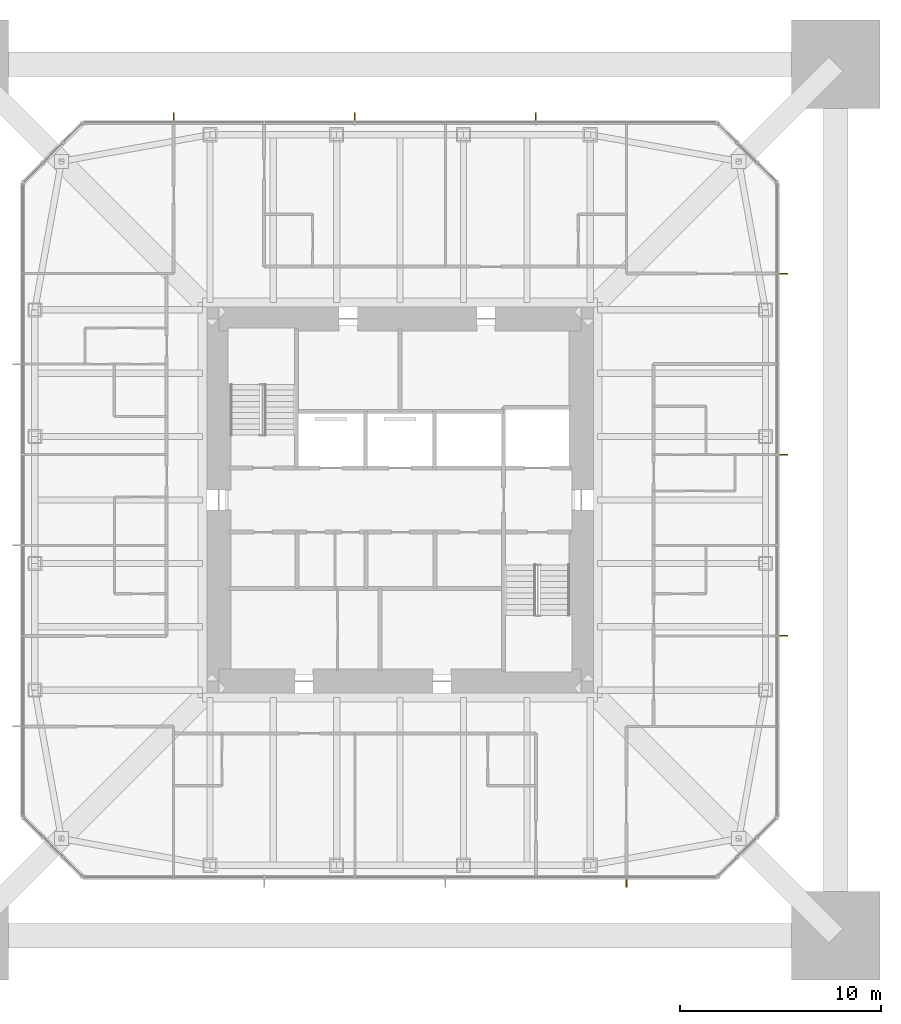
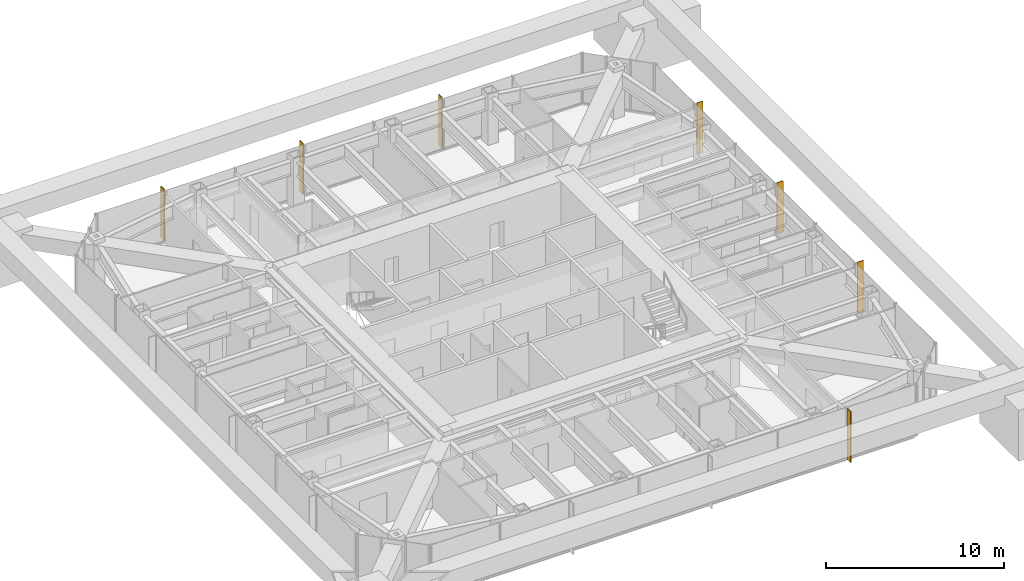
# One storey, part 15 of 15: 7 shading devices.
"""IFC4 building model written with IfcOpenShell, lengths in metres."""

from ifc_helpers import new_model, si_unit, direction, frame, origin, origin_2d, place, context, subcontext, project, spatial, rectangle, extrude, material, layer, layer_set, type_object, element, save


model = new_model("IFC4")

# Units and contexts
model_context = context("Model", 3, precision=1e-05, world=origin(), true_north=direction((0.0, 1.0)))
body_context = subcontext(model_context, "Body", "Model", "MODEL_VIEW")
ifc_project = project(units=[si_unit("LENGTHUNIT", "METRE"), si_unit("AREAUNIT", "SQUARE_METRE"), si_unit("VOLUMEUNIT", "CUBIC_METRE"), si_unit("PLANEANGLEUNIT", "RADIAN"), si_unit("MASSUNIT", "GRAM", prefix="KILO")], contexts=[model_context])

# Site, building, storey
site_placement = place(None, origin())
site = spatial("IfcSite", under=ifc_project, at=site_placement, CompositionType="ELEMENT")
building_placement = place(site_placement, origin())
building = spatial("IfcBuilding", under=site, at=building_placement, Name="Iwan Alto Co-Living Towers", CompositionType="ELEMENT")
storey_placement = place(building_placement, frame((0.0, 0.0, 205.5)))
storey = spatial("IfcBuildingStorey", under=building, at=storey_placement, Name="L56", CompositionType="ELEMENT", Elevation=205.5)

# Shading devices
ifc_material = material(Name="Aluminium 6063-T6 bronze anodised", Category="aluminium")
ifc_layer = layer(ifc_material, 0.050048828125)
ifc_layer_set = layer_set([ifc_layer], Name="BRONZE FIN 50X400")
shading_device_type = type_object("IfcShadingDeviceType", Name="BRONZE FIN 50X400", PredefinedType="USERDEFINED", material=ifc_layer_set)
for number, where, z_axis, x_axis, name in (
    (1, (11.25, -19.050048828125, 0.0), (0.0, 0.0, 1.0), (1.0, 0.0, 0.0), "Bronze fin L56"),
    (2, (19.050048828125, -6.75, 0.0), (0.0, 0.0, 1.0), (0.0, 1.0, 0.0), "Bronze fin L56"),
    (3, (19.050048828125, 2.25, 0.0), (0.0, 0.0, 1.0), (0.0, 1.0, 0.0), "Bronze fin L56"),
    (4, (19.050048828125, 11.25, 0.0), (0.0, 0.0, 1.0), (0.0, 1.0, 0.0), "Bronze fin L56"),
    (5, (6.75, 19.050048828125, 0.0), (0.0, 0.0, 1.0), (-1.0, 0.0, 0.0), "Bronze fin L56"),
    (6, (-2.25, 19.050048828125, 0.0), (0.0, 0.0, 1.0), (-1.0, 0.0, 0.0), "Bronze fin L56"),
    (7, (-11.25, 19.050048828125, 0.0), (0.0, 0.0, 1.0), (-1.0, 0.0, 0.0), "Bronze fin L56"),
):
    element("IfcShadingDevice", number, at=place(storey_placement, frame(where, z_axis=z_axis, x_axis=x_axis)), inside=storey, type_object=shading_device_type, Name=name, ObjectType="LOUVER", PredefinedType="USERDEFINED", context=body_context, shape_type="SweptSolid", body=[
        extrude(rectangle(XDim=0.050048828125, YDim=0.39990234375, at=origin_2d()), origin(), (0.0, 0.0, 1.0), 3.5),
    ])

save(model, "model.ifc")
